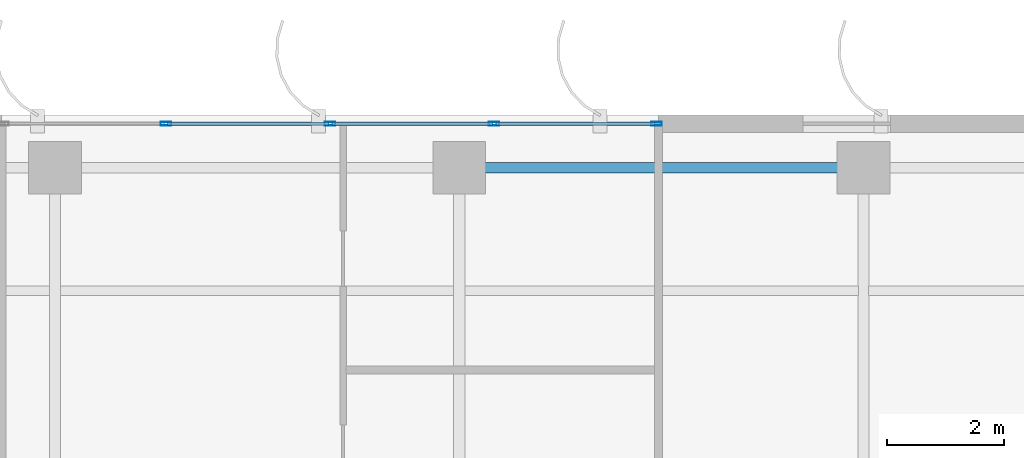
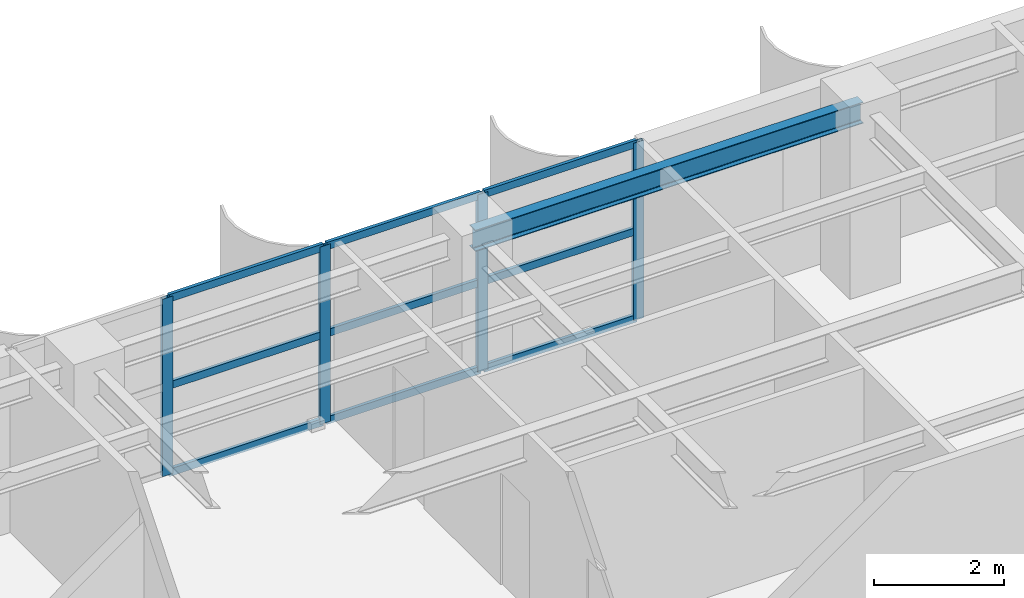
# One storey, part 14 of 22: 13 members, 1 beam, 1 element without a shape of its own.
"""IFC4 building model written with IfcOpenShell, lengths in metres."""

from ifc_helpers import new_model, si_unit, direction, frame, origin, origin_2d, place, context, subcontext, project, spatial, hollow_rectangle, i_section, extrude, source, transform, mapped, material, layer, layer_set, material_profile, profile_set, type_object, element, aggregate, save


model = new_model("IFC4")

# Units and contexts
model_context = context("Model", 3, precision=1e-05, world=origin(), true_north=direction((0.0, 1.0)))
body_context = subcontext(model_context, "Body", "Model", "MODEL_VIEW")
ifc_project = project(units=[si_unit("LENGTHUNIT", "METRE"), si_unit("AREAUNIT", "SQUARE_METRE"), si_unit("VOLUMEUNIT", "CUBIC_METRE"), si_unit("PLANEANGLEUNIT", "RADIAN"), si_unit("MASSUNIT", "GRAM", prefix="KILO")], contexts=[model_context])

# Site, building, storey
site_placement = place(None, origin())
site = spatial("IfcSite", under=ifc_project, at=site_placement, CompositionType="ELEMENT")
building_placement = place(site_placement, origin())
building = spatial("IfcBuilding", under=site, at=building_placement, Name="Khoralis Quay Care Tower", CompositionType="ELEMENT")
storey_placement = place(building_placement, frame((0.0, 0.0, 170.10009765625)))
storey = spatial("IfcBuildingStorey", under=building, at=storey_placement, Name="L44", CompositionType="ELEMENT", Elevation=170.10009765625)

# Beam
ifc_material_1 = material(Name="Steel S355", Category="steel")
ifc_material_profile_1 = material_profile(ifc_material_1, i_section(OverallWidth=0.179931640625, OverallDepth=0.39990234375, WebThickness=0.008544921875, FlangeThickness=0.013427734375, FilletRadius=0.02099609375, at=origin_2d()), Name="Steel S355")
ifc_profile_set_1 = profile_set([ifc_material_profile_1], Name="Steel S355")
beam_type = type_object("IfcBeamType", Name="BM-IPE400", PredefinedType="SPANDREL", material=ifc_profile_set_1)
shared_shape_1 = source(origin(), body_context, "Body", "SweptSolid", [
    extrude(i_section(OverallWidth=0.179931640625, OverallDepth=0.39990234375, WebThickness=0.008544921875, FlangeThickness=0.013427734375, FilletRadius=0.02099609375, at=origin_2d()), origin(), (0.0, 0.0, 1.0), 6.89990234375),
])
beam_placement = place(storey_placement, frame((24.0, 41.10009765625, 3.139892578125), z_axis=(1.0, 0.0, 0.0), x_axis=(0.0, 1.0, 0.0)))
element("IfcBeam", 1, at=beam_placement, inside=storey, type_object=beam_type, Name="BM-TSP-L44-07", PredefinedType="SPANDREL", context=body_context, shape_type="MappedRepresentation", body=[
    mapped(shared_shape_1, transform((0.0, 0.0, 0.0), scale=1.0)),
])

# Curtain wall, members
ifc_material_2 = material(Name="Pale anodised aluminium", Category="aluminium")
ifc_layer = layer(ifc_material_2, 0.159912109375)
ifc_layer_set = layer_set([ifc_layer], Name="Pale anodised aluminium")
curtain_wall_type = type_object("IfcCurtainWallType", Name="CW-SYS-Z3", PredefinedType="NOTDEFINED", material=ifc_layer_set)
curtain_wall_placement = place(storey_placement, origin())
curtain_wall = element("IfcCurtainWall", 2, at=curtain_wall_placement, inside=storey, type_object=curtain_wall_type, Name="L44 Unitised Curtain Wall CW-L44-P1-E10", PredefinedType="NOTDEFINED")
ifc_material_profile_2 = material_profile(ifc_material_2, hollow_rectangle(XDim=0.06005859375, YDim=0.139892578125, WallThickness=0.00390625, at=origin_2d()), Name="Pale anodised aluminium")
ifc_profile_set_2 = profile_set([ifc_material_profile_2], Name="Pale anodised aluminium")
member_type_1 = type_object("IfcMemberType", Name="CW-TRN-140", PredefinedType="USERDEFINED", material=ifc_profile_set_2)
shared_shape_2 = source(origin(), body_context, "Body", "SweptSolid", [
    extrude(hollow_rectangle(XDim=0.06005859375, YDim=0.139892578125, WallThickness=0.00390625, at=origin_2d()), origin(), (0.0, 0.0, 1.0), 2.712646484375),
])
member_1_placement = place(storey_placement, frame((27.340087890625, 41.85009765625, 0.02978515625), z_axis=(-1.0, 0.0, 0.0), x_axis=(0.0, -1.0, 0.0)))
member_1 = element("IfcMember", 3, at=member_1_placement, type_object=member_type_1, Name="CW3 transom 1.1", ObjectType="TRANSOM", PredefinedType="USERDEFINED", context=body_context, shape_type="MappedRepresentation", body=[
    mapped(shared_shape_2, transform((0.0, 0.0, 0.0), scale=1.0)),
])
member_2_placement = place(storey_placement, frame((27.340087890625, 41.85009765625, 1.669921875), z_axis=(-1.0, 0.0, 0.0), x_axis=(0.0, -1.0, 0.0)))
member_2 = element("IfcMember", 4, at=member_2_placement, type_object=member_type_1, Name="CW3 transom 1.2", ObjectType="TRANSOM", PredefinedType="USERDEFINED", context=body_context, shape_type="MappedRepresentation", body=[
    mapped(shared_shape_2, transform((0.0, 0.0, 0.0), scale=1.0)),
])
member_3_placement = place(storey_placement, frame((27.340087890625, 41.85009765625, 3.309814453125), z_axis=(-1.0, 0.0, 0.0), x_axis=(0.0, -1.0, 0.0)))
member_3 = element("IfcMember", 5, at=member_3_placement, type_object=member_type_1, Name="CW3 transom 1.3", ObjectType="TRANSOM", PredefinedType="USERDEFINED", context=body_context, shape_type="MappedRepresentation", body=[
    mapped(shared_shape_2, transform((0.0, 0.0, 0.0), scale=1.0)),
])
shared_shape_3 = source(origin(), body_context, "Body", "SweptSolid", [
    extrude(hollow_rectangle(XDim=0.06005859375, YDim=0.139892578125, WallThickness=0.00390625, at=origin_2d()), origin(), (0.0, 0.0, 1.0), 2.742431640625),
])
member_4_placement = place(storey_placement, frame((24.5673828125, 41.85009765625, 0.02978515625), z_axis=(-1.0, 0.0, 0.0), x_axis=(0.0, -1.0, 0.0)))
member_4 = element("IfcMember", 6, at=member_4_placement, type_object=member_type_1, Name="CW3 transom 2.1", ObjectType="TRANSOM", PredefinedType="USERDEFINED", context=body_context, shape_type="MappedRepresentation", body=[
    mapped(shared_shape_3, transform((0.0, 0.0, 0.0), scale=1.0)),
])
member_5_placement = place(storey_placement, frame((24.5673828125, 41.85009765625, 1.669921875), z_axis=(-1.0, 0.0, 0.0), x_axis=(0.0, -1.0, 0.0)))
member_5 = element("IfcMember", 7, at=member_5_placement, type_object=member_type_1, Name="CW3 transom 2.2", ObjectType="TRANSOM", PredefinedType="USERDEFINED", context=body_context, shape_type="MappedRepresentation", body=[
    mapped(shared_shape_3, transform((0.0, 0.0, 0.0), scale=1.0)),
])
member_6_placement = place(storey_placement, frame((24.5673828125, 41.85009765625, 3.309814453125), z_axis=(-1.0, 0.0, 0.0), x_axis=(0.0, -1.0, 0.0)))
member_6 = element("IfcMember", 8, at=member_6_placement, type_object=member_type_1, Name="CW3 transom 2.3", ObjectType="TRANSOM", PredefinedType="USERDEFINED", context=body_context, shape_type="MappedRepresentation", body=[
    mapped(shared_shape_3, transform((0.0, 0.0, 0.0), scale=1.0)),
])
member_7_placement = place(storey_placement, frame((21.764892578125, 41.85009765625, 0.02978515625), z_axis=(-1.0, 0.0, 0.0), x_axis=(0.0, -1.0, 0.0)))
member_7 = element("IfcMember", 9, at=member_7_placement, type_object=member_type_1, Name="CW3 transom 3.1", ObjectType="TRANSOM", PredefinedType="USERDEFINED", context=body_context, shape_type="MappedRepresentation", body=[
    mapped(shared_shape_3, transform((0.0, 0.0, 0.0), scale=1.0)),
])
member_8_placement = place(storey_placement, frame((21.764892578125, 41.85009765625, 1.669921875), z_axis=(-1.0, 0.0, 0.0), x_axis=(0.0, -1.0, 0.0)))
member_8 = element("IfcMember", 10, at=member_8_placement, type_object=member_type_1, Name="CW3 transom 3.2", ObjectType="TRANSOM", PredefinedType="USERDEFINED", context=body_context, shape_type="MappedRepresentation", body=[
    mapped(shared_shape_3, transform((0.0, 0.0, 0.0), scale=1.0)),
])
member_9_placement = place(storey_placement, frame((21.764892578125, 41.85009765625, 3.309814453125), z_axis=(-1.0, 0.0, 0.0), x_axis=(0.0, -1.0, 0.0)))
member_9 = element("IfcMember", 11, at=member_9_placement, type_object=member_type_1, Name="CW3 transom 3.3", ObjectType="TRANSOM", PredefinedType="USERDEFINED", context=body_context, shape_type="MappedRepresentation", body=[
    mapped(shared_shape_3, transform((0.0, 0.0, 0.0), scale=1.0)),
])
ifc_material_profile_3 = material_profile(ifc_material_2, hollow_rectangle(XDim=0.06494140625, YDim=0.179931640625, WallThickness=0.00390625, at=origin_2d()), Name="Pale anodised aluminium")
ifc_profile_set_3 = profile_set([ifc_material_profile_3], Name="Pale anodised aluminium")
member_type_2 = type_object("IfcMemberType", Name="CW-MUL-180", PredefinedType="MULLION", material=ifc_profile_set_3)
shared_shape_4 = source(origin(), body_context, "Body", "SweptSolid", [
    extrude(hollow_rectangle(XDim=0.06494140625, YDim=0.179931640625, WallThickness=0.00390625, at=origin_2d()), origin(), (0.0, 0.0, 1.0), 3.33984375),
])
member_10_placement = place(storey_placement, frame((27.3701171875, 41.85009765625, 0.0), z_axis=(0.0, 0.0, 1.0), x_axis=(0.0, -1.0, 0.0)))
member_10 = element("IfcMember", 12, at=member_10_placement, type_object=member_type_2, Name="CW3 mullion 1", PredefinedType="MULLION", context=body_context, shape_type="MappedRepresentation", body=[
    mapped(shared_shape_4, transform((0.0, 0.0, 0.0), scale=1.0)),
])
member_11_placement = place(storey_placement, frame((24.597412109375, 41.85009765625, 0.0), z_axis=(0.0, 0.0, 1.0), x_axis=(0.0, -1.0, 0.0)))
member_11 = element("IfcMember", 13, at=member_11_placement, type_object=member_type_2, Name="CW3 mullion 2", PredefinedType="MULLION", context=body_context, shape_type="MappedRepresentation", body=[
    mapped(shared_shape_4, transform((0.0, 0.0, 0.0), scale=1.0)),
])
member_12_placement = place(storey_placement, frame((21.794921875, 41.85009765625, 0.0), z_axis=(0.0, 0.0, 1.0), x_axis=(0.0, -1.0, 0.0)))
member_12 = element("IfcMember", 14, at=member_12_placement, type_object=member_type_2, Name="CW3 mullion 3", PredefinedType="MULLION", context=body_context, shape_type="MappedRepresentation", body=[
    mapped(shared_shape_4, transform((0.0, 0.0, 0.0), scale=1.0)),
])
member_13_placement = place(storey_placement, frame((18.992431640625, 41.85009765625, 0.0), z_axis=(0.0, 0.0, 1.0), x_axis=(0.0, -1.0, 0.0)))
member_13 = element("IfcMember", 15, at=member_13_placement, type_object=member_type_2, Name="CW3 mullion 4", PredefinedType="MULLION", context=body_context, shape_type="MappedRepresentation", body=[
    mapped(shared_shape_4, transform((0.0, 0.0, 0.0), scale=1.0)),
])
aggregate(curtain_wall, [member_10, member_11, member_12, member_13, member_1, member_2, member_3, member_4, member_5, member_6, member_7, member_8, member_9])

save(model, "model.ifc")
